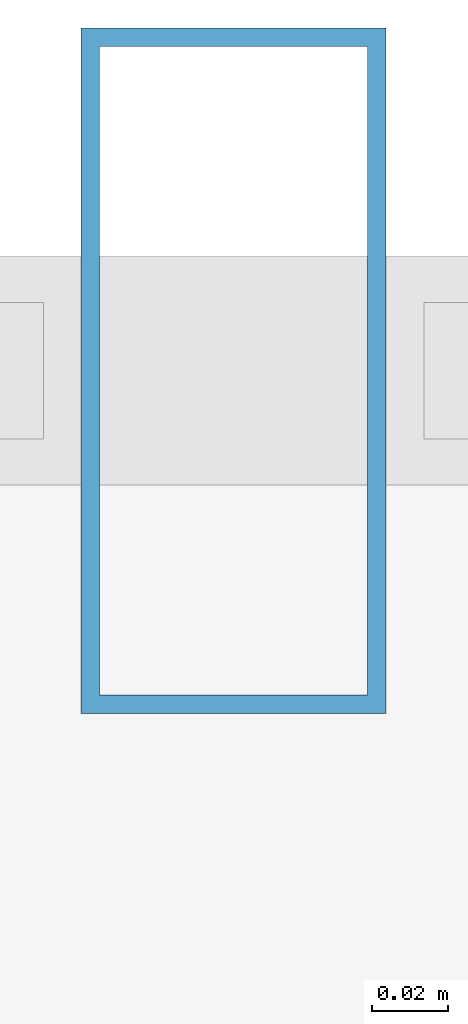
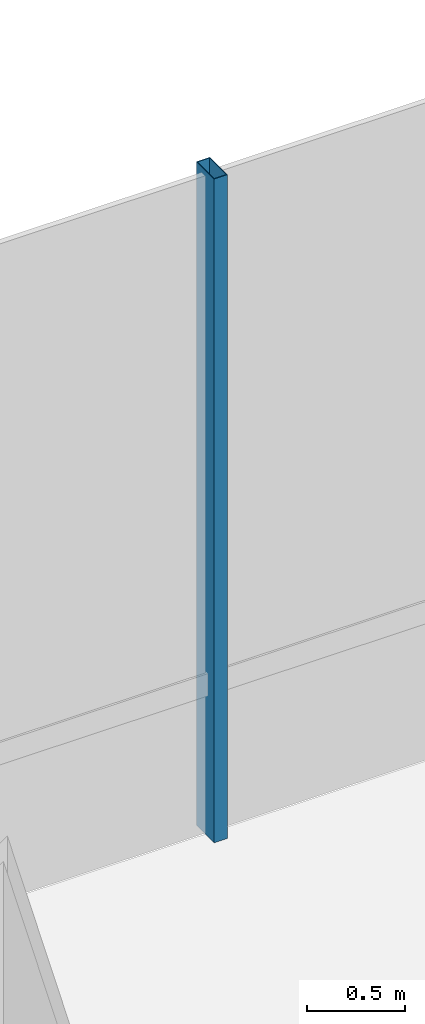
# One storey, part 25 of 43: 1 member, 1 element without a shape of its own.
"""IFC4 building model written with IfcOpenShell, lengths in metres."""

from ifc_helpers import new_model, si_unit, direction, frame, origin, origin_2d, place, context, subcontext, project, spatial, hollow_rectangle, extrude, material, layer, layer_set, material_profile, profile_set, type_object, element, aggregate, save


model = new_model("IFC4")

# Units and contexts
model_context = context("Model", 3, precision=1e-05, world=origin(), true_north=direction((0.0, 1.0)))
body_context = subcontext(model_context, "Body", "Model", "MODEL_VIEW")
ifc_project = project(units=[si_unit("LENGTHUNIT", "METRE"), si_unit("AREAUNIT", "SQUARE_METRE"), si_unit("VOLUMEUNIT", "CUBIC_METRE"), si_unit("PLANEANGLEUNIT", "RADIAN"), si_unit("MASSUNIT", "GRAM", prefix="KILO")], contexts=[model_context])

# Site, building, storey
site_placement = place(None, origin())
site = spatial("IfcSite", under=ifc_project, at=site_placement, CompositionType="ELEMENT")
building_placement = place(site_placement, origin())
building = spatial("IfcBuilding", under=site, at=building_placement, Name="Zarrinselat Tower", CompositionType="ELEMENT")
storey_placement = place(building_placement, frame((0.0, 0.0, 5.10009765625)))
storey = spatial("IfcBuildingStorey", under=building, at=storey_placement, Name="L01", CompositionType="ELEMENT", Elevation=5.10009765625)

# Curtain wall, member
ifc_material_1 = material(Name="Extruded Aluminium Alloy EN AW-6063 T6", Category="aluminium")
ifc_layer = layer(ifc_material_1, 0.2099609375)
ifc_layer_set = layer_set([ifc_layer], Name="Extruded Aluminium Alloy EN AW-6063 T6")
curtain_wall_type = type_object("IfcCurtainWallType", Name="CWS-POD", PredefinedType="NOTDEFINED", material=ifc_layer_set)
curtain_wall_placement = place(storey_placement, origin())
curtain_wall = element("IfcCurtainWall", 1, at=curtain_wall_placement, inside=storey, type_object=curtain_wall_type, Name="L01 Unitised Curtain Wall CW-L01-F5", PredefinedType="NOTDEFINED")
ifc_material_2 = material(Name="Extruded Aluminium Alloy EN AW-6063 T6", Category="aluminium")
ifc_material_profile = material_profile(ifc_material_2, hollow_rectangle(XDim=0.080078125, YDim=0.179931640625, WallThickness=0.0048828125, at=origin_2d()), Name="RHS 180x80x5")
ifc_profile_set = profile_set([ifc_material_profile], Name="Extruded Aluminium Alloy EN AW-6063 T6")
member_type = type_object("IfcMemberType", Name="MEM-CW-MUL", PredefinedType="MULLION", material=ifc_profile_set)
member_placement = place(storey_placement, frame((42.070068359375, 52.199951171875, 0.0), z_axis=(0.0, 0.0, 1.0), x_axis=(-1.0, 0.0, 0.0)))
member = element("IfcMember", 2, at=member_placement, type_object=member_type, Name="CW-L01-F5 Mullion 9", PredefinedType="MULLION", context=body_context, shape_type="SweptSolid", body=[
    extrude(hollow_rectangle(XDim=0.080078125, YDim=0.179931640625, WallThickness=0.0048828125, at=origin_2d()), origin(), (0.0, 0.0, 1.0), 4.139892578125),
])
aggregate(curtain_wall, [member])

save(model, "model.ifc")
